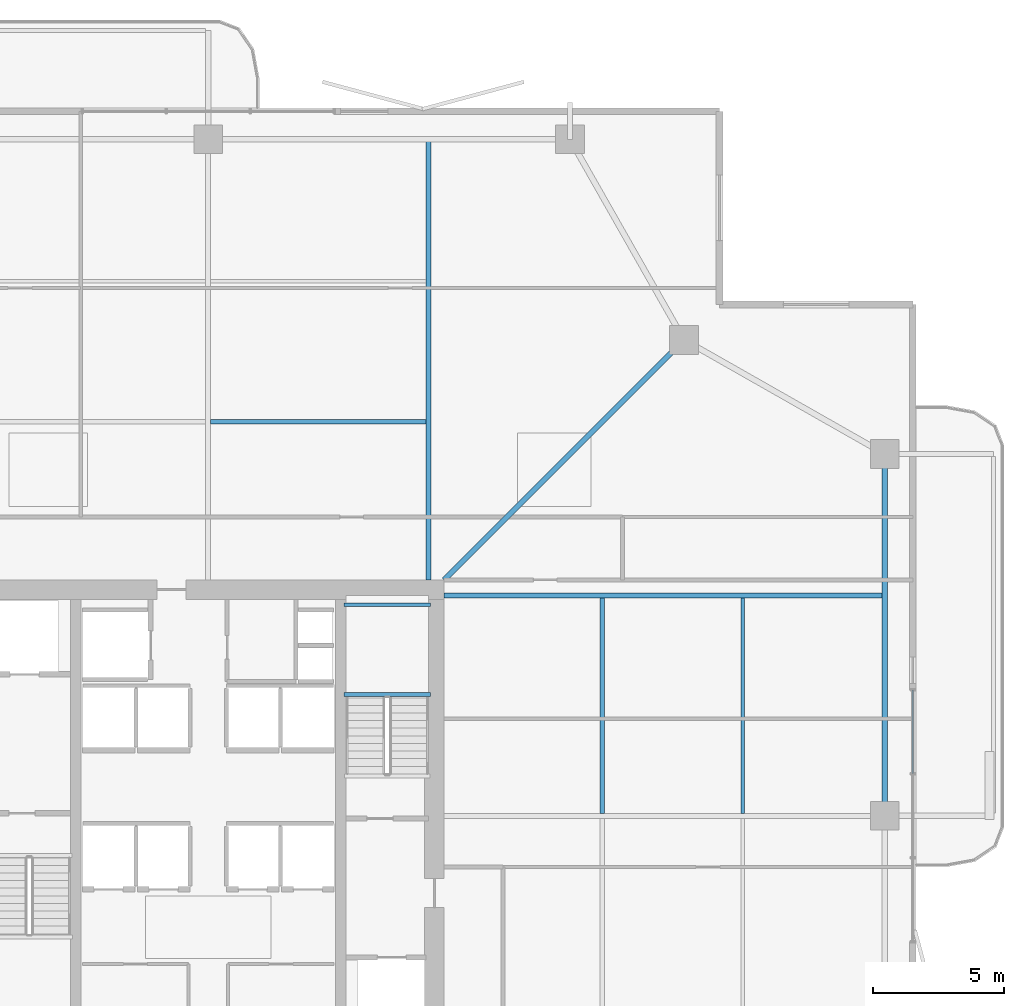
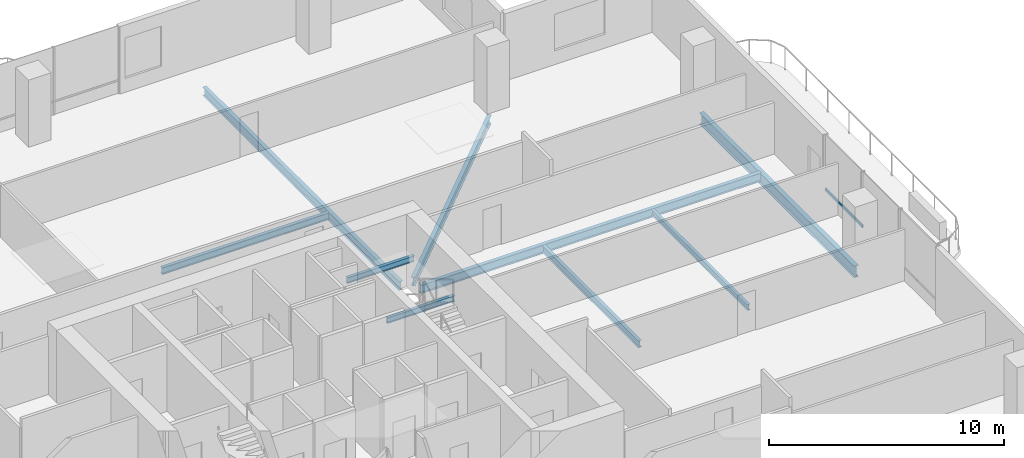
# One storey, part 12 of 24: 9 beams, 1 member, 1 element without a shape of its own.
"""IFC4 building model written with IfcOpenShell, lengths in metres."""

from ifc_helpers import new_model, si_unit, direction, frame, origin, origin_2d, place, context, subcontext, project, spatial, hollow_rectangle, i_section, extrude, material, layer, layer_set, material_profile, profile_set, type_object, element, aggregate, save


model = new_model("IFC4")

# Units and contexts
model_context = context("Model", 3, precision=1e-05, world=origin(), true_north=direction((0.0, 1.0)))
body_context = subcontext(model_context, "Body", "Model", "MODEL_VIEW")
ifc_project = project(units=[si_unit("LENGTHUNIT", "METRE"), si_unit("AREAUNIT", "SQUARE_METRE"), si_unit("VOLUMEUNIT", "CUBIC_METRE"), si_unit("PLANEANGLEUNIT", "RADIAN"), si_unit("MASSUNIT", "GRAM", prefix="KILO")], contexts=[model_context])

# Site, building, storey
site_placement = place(None, origin())
site = spatial("IfcSite", under=ifc_project, at=site_placement, CompositionType="ELEMENT")
building_placement = place(site_placement, origin())
building = spatial("IfcBuilding", under=site, at=building_placement, Name="Belovzor Exchange Tower", CompositionType="ELEMENT")
storey_placement = place(building_placement, frame((0.0, 0.0, 237.449951171875)))
storey = spatial("IfcBuildingStorey", under=building, at=storey_placement, Name="L59", CompositionType="ELEMENT", Elevation=237.449951171875)

# Beams
ifc_material_1 = material(Name="Steel S355", Category="steel")
ifc_material_profile_1 = material_profile(ifc_material_1, i_section(OverallWidth=0.169921875, OverallDepth=0.360107421875, WebThickness=0.008056640625, FlangeThickness=0.0126953125, at=origin_2d()))
ifc_profile_set_1 = profile_set([ifc_material_profile_1], Name="Steel S355")
beam_type_1 = type_object("IfcBeamType", Name="Secondary Infill Floor Joist IPE 360", PredefinedType="BEAM", material=ifc_profile_set_1)
for number, where, z_axis, x_axis, name in (
    (1, (28.89501953125, 43.827880859375, -0.429931640625), (1.0, 0.0, 0.0), (0.0, 1.0, 0.0), "FJ-360 Secondary Infill Floor Joist IPE 360"),
    (2, (43.827880859375, 28.89501953125, -0.429931640625), (0.0, 1.0, 0.0), (-1.0, 0.0, 0.0), "FJ-360 Secondary Infill Floor Joist IPE 360"),
):
    element("IfcBeam", number, at=place(storey_placement, frame(where, z_axis=z_axis, x_axis=x_axis)), inside=storey, type_object=beam_type_1, Name=name, PredefinedType="BEAM", context=body_context, shape_type="SweptSolid", body=[
        extrude(i_section(OverallWidth=0.169921875, OverallDepth=0.360107421875, WebThickness=0.008056640625, FlangeThickness=0.0126953125, at=origin_2d()), origin(), (0.0, 0.0, 1.0), 8.2099609375),
    ])
ifc_material_2 = material(Name="Steel S355", Category="steel")
ifc_material_profile_2 = material_profile(ifc_material_2, i_section(OverallWidth=0.14990234375, OverallDepth=0.300048828125, WebThickness=0.007080078125, FlangeThickness=0.0107421875, at=origin_2d()))
ifc_profile_set_2 = profile_set([ifc_material_profile_2], Name="Steel S355")
beam_type_2 = type_object("IfcBeamType", Name="Secondary Trim Floor Joist IPE 300", PredefinedType="BEAM", material=ifc_profile_set_2)
for number, where, z_axis, x_axis, name in (
    (3, (37.280029296875, 33.419921875, 1.525146484375), (-1.0, 0.0, 0.0), (0.0, -1.0, 0.0), "FJ-300 Secondary Trim Floor Joist IPE 300"),
    (4, (37.280029296875, 36.85009765625, 1.525146484375), (-1.0, 0.0, 0.0), (0.0, -1.0, 0.0), "FJ-300 Secondary Trim Floor Joist IPE 300"),
):
    element("IfcBeam", number, at=place(storey_placement, frame(where, z_axis=z_axis, x_axis=x_axis)), inside=storey, type_object=beam_type_2, Name=name, PredefinedType="BEAM", context=body_context, shape_type="SweptSolid", body=[
        extrude(i_section(OverallWidth=0.14990234375, OverallDepth=0.300048828125, WebThickness=0.007080078125, FlangeThickness=0.0107421875, at=origin_2d()), origin(), (0.0, 0.0, 1.0), 3.31005859375),
    ])
beam_1_placement = place(storey_placement, frame((49.18701171875, 28.89501953125, -0.39990234375), z_axis=(0.0, 1.0, 0.0), x_axis=(-1.0, 0.0, 0.0)))
element("IfcBeam", 5, at=beam_1_placement, inside=storey, type_object=beam_type_2, Name="FJ-300 Secondary Trim Floor Joist IPE 300", PredefinedType="BEAM", context=body_context, shape_type="SweptSolid", body=[
    extrude(i_section(OverallWidth=0.14990234375, OverallDepth=0.300048828125, WebThickness=0.007080078125, FlangeThickness=0.0107421875, at=origin_2d()), origin(), (0.0, 0.0, 1.0), 8.2099609375),
])

# Curtain wall, member
ifc_material_3 = material(Name="Anodised Aluminium Framing", Category="aluminium")
ifc_layer = layer(ifc_material_3, 0.179931640625)
ifc_layer_set = layer_set([ifc_layer], Name="Anodised Aluminium Framing")
curtain_wall_type = type_object("IfcCurtainWallType", Name="Recessed Loggia Low-Iron Triple-Glazed Curtain Wall", PredefinedType="NOTDEFINED", material=ifc_layer_set)
curtain_wall_placement = place(storey_placement, origin())
curtain_wall = element("IfcCurtainWall", 6, at=curtain_wall_placement, inside=storey, type_object=curtain_wall_type, Name="CW3 Recessed Loggia Low-Iron Triple-Glazed Curtain Wall L59", PredefinedType="NOTDEFINED")
ifc_material_4 = material(Name="Steel S355", Category="steel")
ifc_material_profile_3 = material_profile(ifc_material_4, hollow_rectangle(XDim=0.06005859375, YDim=0.14990234375, WallThickness=0.00390625, at=origin_2d()))
ifc_profile_set_3 = profile_set([ifc_material_profile_3], Name="Steel S355")
member_type = type_object("IfcMemberType", Name="Thermally Broken Curtain Wall Transom 150x60", PredefinedType="USERDEFINED", material=ifc_profile_set_3)
member_placement = place(storey_placement, frame((55.669921875, 33.592041015625, 0.630126953125), z_axis=(0.0, -1.0, 0.0), x_axis=(1.0, 0.0, 0.0)))
member = element("IfcMember", 7, at=member_placement, type_object=member_type, Name="CW-T150 Curtain Wall Transom 1", ObjectType="TRANSOM", PredefinedType="USERDEFINED", context=body_context, shape_type="SweptSolid", body=[
    extrude(hollow_rectangle(XDim=0.06005859375, YDim=0.14990234375, WallThickness=0.00390625, at=origin_2d()), origin(), (0.0, 0.0, 1.0), 3.18408203125),
])
aggregate(curtain_wall, [member])

# Beams
ifc_material_5 = material(Name="Steel S355", Category="steel")
ifc_material_profile_4 = material_profile(ifc_material_5, i_section(OverallWidth=0.18994140625, OverallDepth=0.449951171875, WebThickness=0.009521484375, FlangeThickness=0.0146484375, at=origin_2d()))
ifc_profile_set_4 = profile_set([ifc_material_profile_4], Name="Steel S355")
beam_type_3 = type_object("IfcBeamType", Name="Zone 2-4 Radial Composite Floor Beam IPE 450", PredefinedType="BEAM", material=ifc_profile_set_4)
for number, where, z_axis, x_axis, name in (
    (8, (37.199951171875, 37.800048828125, -0.474853515625), (0.0, 1.0, 0.0), (-1.0, 0.0, 0.0), "FB-450 Zone 2-4 Radial Composite Floor Beam IPE 450"),
    (9, (37.800048828125, 37.199951171875, -0.474853515625), (1.0, 0.0, 0.0), (0.0, 1.0, 0.0), "FB-450 Zone 2-4 Radial Composite Floor Beam IPE 450"),
):
    element("IfcBeam", number, at=place(storey_placement, frame(where, z_axis=z_axis, x_axis=x_axis)), inside=storey, type_object=beam_type_3, Name=name, PredefinedType="BEAM", context=body_context, shape_type="SweptSolid", body=[
        extrude(i_section(OverallWidth=0.18994140625, OverallDepth=0.449951171875, WebThickness=0.009521484375, FlangeThickness=0.0146484375, at=origin_2d()), origin(), (0.0, 0.0, 1.0), 16.744873046875),
    ])
beam_2_placement = place(storey_placement, frame((37.800048828125, 37.800048828125, -0.474853515625), z_axis=(0.707106781187, 0.707106781187, 0.0), x_axis=(-0.707106781187, 0.707106781187, 0.0)))
element("IfcBeam", 10, at=beam_2_placement, inside=storey, type_object=beam_type_3, Name="FB-450 Zone 2-4 Radial Composite Floor Beam IPE 450", PredefinedType="BEAM", context=body_context, shape_type="SweptSolid", body=[
    extrude(i_section(OverallWidth=0.18994140625, OverallDepth=0.449951171875, WebThickness=0.009521484375, FlangeThickness=0.0146484375, at=origin_2d()), origin(), (0.0, 0.0, 1.0), 12.551025390625),
])
ifc_material_6 = material(Name="Steel S355", Category="steel")
ifc_material_profile_5 = material_profile(ifc_material_6, i_section(OverallWidth=0.219970703125, OverallDepth=0.60009765625, WebThickness=0.011962890625, FlangeThickness=0.01904296875, at=origin_2d()))
ifc_profile_set_5 = profile_set([ifc_material_profile_5], Name="Steel S355")
beam_type_4 = type_object("IfcBeamType", Name="Zone 4 Flare Primary Girder IPE 600", PredefinedType="BEAM", material=ifc_profile_set_5)
beam_3_placement = place(storey_placement, frame((54.60009765625, 29.10205078125, -0.550048828125), z_axis=(0.0, 1.0, 0.0), x_axis=(-1.0, 0.0, 0.0)))
element("IfcBeam", 11, at=beam_3_placement, inside=storey, type_object=beam_type_4, Name="FG-Z4 Zone 4 Flare Primary Girder IPE 600", PredefinedType="BEAM", context=body_context, shape_type="SweptSolid", body=[
    extrude(i_section(OverallWidth=0.219970703125, OverallDepth=0.60009765625, WebThickness=0.011962890625, FlangeThickness=0.01904296875, at=origin_2d()), origin(), (0.0, 0.0, 1.0), 13.195068359375),
])

save(model, "model.ifc")
